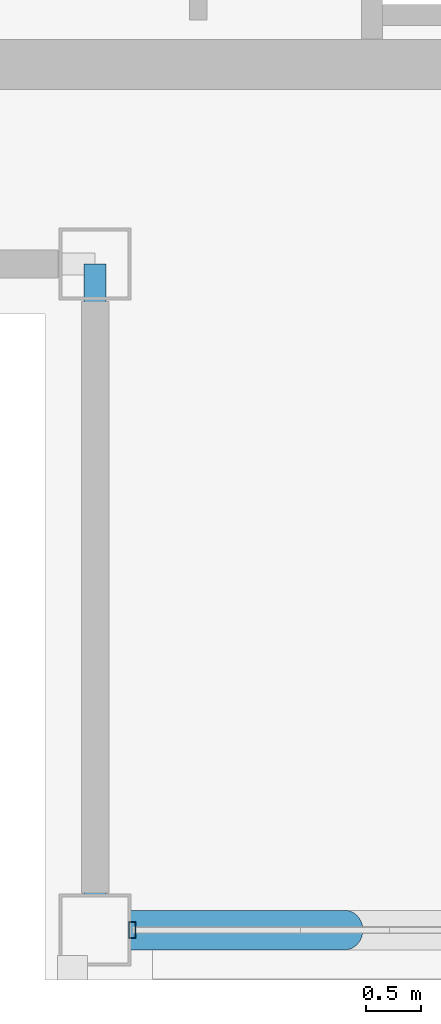
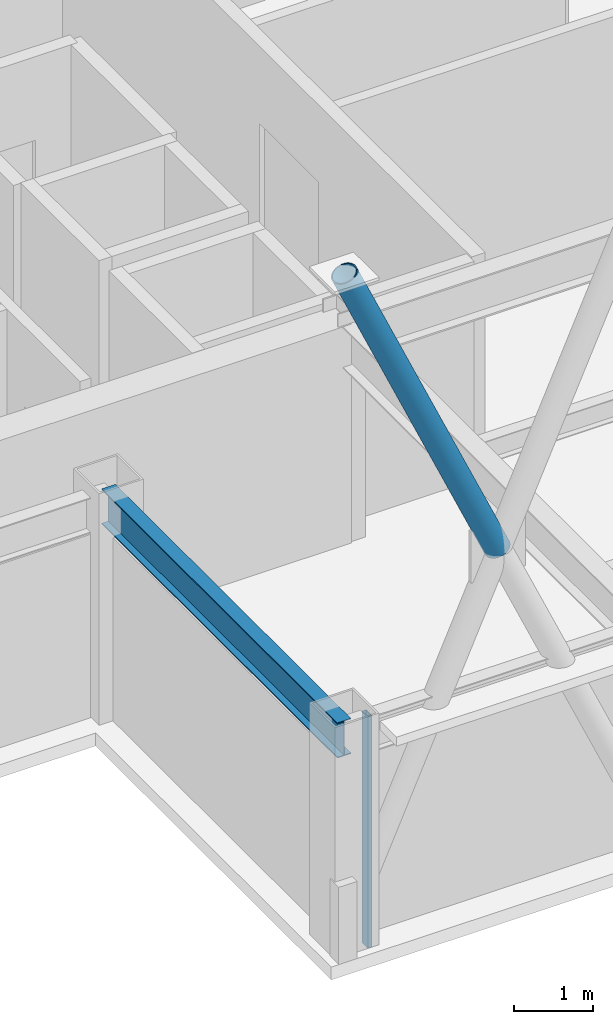
# One storey, part 3 of 28: 2 members, 1 beam, 1 element without a shape of its own.
"""IFC4 building model written with IfcOpenShell, lengths in metres."""

from ifc_helpers import new_model, si_unit, direction, frame, origin, origin_2d, place, context, subcontext, project, spatial, hollow_rectangle, hollow_circle, i_section, extrude, material, layer, layer_set, material_profile, profile_set, type_object, element, aggregate, save


model = new_model("IFC4")

# Units and contexts
model_context = context("Model", 3, precision=1e-05, world=origin(), true_north=direction((0.0, 1.0)))
body_context = subcontext(model_context, "Body", "Model", "MODEL_VIEW")
ifc_project = project(units=[si_unit("LENGTHUNIT", "METRE"), si_unit("AREAUNIT", "SQUARE_METRE"), si_unit("VOLUMEUNIT", "CUBIC_METRE"), si_unit("PLANEANGLEUNIT", "RADIAN"), si_unit("MASSUNIT", "GRAM", prefix="KILO")], contexts=[model_context])

# Site, building, storey
site_placement = place(None, origin())
site = spatial("IfcSite", under=ifc_project, at=site_placement, CompositionType="ELEMENT")
building_placement = place(site_placement, origin())
building = spatial("IfcBuilding", under=site, at=building_placement, Name="Brelmoor Portico Tower", CompositionType="ELEMENT")
storey_placement = place(building_placement, frame((0.0, 0.0, 225.60009765625)))
storey = spatial("IfcBuildingStorey", under=building, at=storey_placement, Name="L59", CompositionType="ELEMENT", Elevation=225.60009765625)

# Beam
ifc_material_1 = material(Name="Steel Q355B", Category="steel")
ifc_material_profile_1 = material_profile(ifc_material_1, i_section(OverallWidth=0.199951171875, OverallDepth=0.550048828125, WebThickness=0.010009765625, FlangeThickness=0.01611328125, at=origin_2d()), Name="HN 550x200x10x16")
ifc_profile_set_1 = profile_set([ifc_material_profile_1], Name="Steel Q355B")
beam_type = type_object("IfcBeamType", Name="BM-SP-550", PredefinedType="SPANDREL", material=ifc_profile_set_1)
beam_placement = place(storey_placement, frame((-12.550048828125, -17.550048828125, 3.125), z_axis=(0.0, 1.0, 0.0), x_axis=(-1.0, 0.0, 0.0)))
element("IfcBeam", 1, at=beam_placement, inside=storey, type_object=beam_type, Name="L59 Perimeter Spandrel Beam SP-14", PredefinedType="SPANDREL", context=body_context, shape_type="SweptSolid", body=[
    extrude(i_section(OverallWidth=0.199951171875, OverallDepth=0.550048828125, WebThickness=0.010009765625, FlangeThickness=0.01611328125, at=origin_2d()), origin(), (0.0, 0.0, 1.0), 6.0),
])

# Member
ifc_material_profile_2 = material_profile(ifc_material_1, hollow_circle(Radius=0.177978515625, WallThickness=0.01611328125, at=origin_2d()), Name="CHS 356x16")
ifc_profile_set_2 = profile_set([ifc_material_profile_2], Name="Steel Q355B")
member_type_1 = type_object("IfcMemberType", Name="MB-BELT-DIAG2", PredefinedType="BRACE", material=ifc_profile_set_2)
member_1_placement = place(storey_placement, frame((-10.300048828125, -17.550048828125, 5.2998046875), z_axis=(-0.406974140277, 0.0, 0.913439680081), x_axis=(0.0, -1.0, 0.0)))
element("IfcMember", 2, at=member_1_placement, inside=storey, type_object=member_type_1, Name="L59 Split Mega-X Brace 133B2", PredefinedType="BRACE", context=body_context, shape_type="SweptSolid", body=[
    extrude(hollow_circle(Radius=0.177978515625, WallThickness=0.01611328125, at=origin_2d()), origin(), (0.0, 0.0, 1.0), 5.528564453125),
])

# Curtain wall, member
ifc_material_2 = material(Name="Anodised Aluminium Alloy 6063-T6", Category="aluminium")
ifc_layer = layer(ifc_material_2, 0.179931640625)
ifc_layer_set = layer_set([ifc_layer], Name="Anodised Aluminium Alloy 6063-T6")
curtain_wall_type = type_object("IfcCurtainWallType", Name="CW-TOWER-Z4-XB", PredefinedType="NOTDEFINED", material=ifc_layer_set)
curtain_wall_placement = place(storey_placement, origin())
curtain_wall = element("IfcCurtainWall", 3, at=curtain_wall_placement, inside=storey, type_object=curtain_wall_type, Name="L59 Curtain Wall CW-L59-01-1", PredefinedType="NOTDEFINED")
ifc_material_profile_3 = material_profile(ifc_material_2, hollow_rectangle(XDim=0.06005859375, YDim=0.14990234375, WallThickness=0.00390625, at=origin_2d()), Name="ALU MULLION 60x150")
ifc_profile_set_3 = profile_set([ifc_material_profile_3], Name="Anodised Aluminium Alloy 6063-T6")
member_type_2 = type_object("IfcMemberType", Name="MB-CW-MULL-150", PredefinedType="MULLION", material=ifc_profile_set_3)
member_2_placement = place(storey_placement, frame((-12.215087890625, -17.550048828125, -0.2001953125), z_axis=(0.0, 0.0, 1.0), x_axis=(1.0, 0.0, 0.0)))
member_2 = element("IfcMember", 4, at=member_2_placement, type_object=member_type_2, Name="CW-L59-01-1 Mullion 00", PredefinedType="MULLION", context=body_context, shape_type="SweptSolid", body=[
    extrude(hollow_rectangle(XDim=0.06005859375, YDim=0.14990234375, WallThickness=0.00390625, at=origin_2d()), origin(), (0.0, 0.0, 1.0), 3.60009765625),
])
aggregate(curtain_wall, [member_2])

save(model, "model.ifc")
